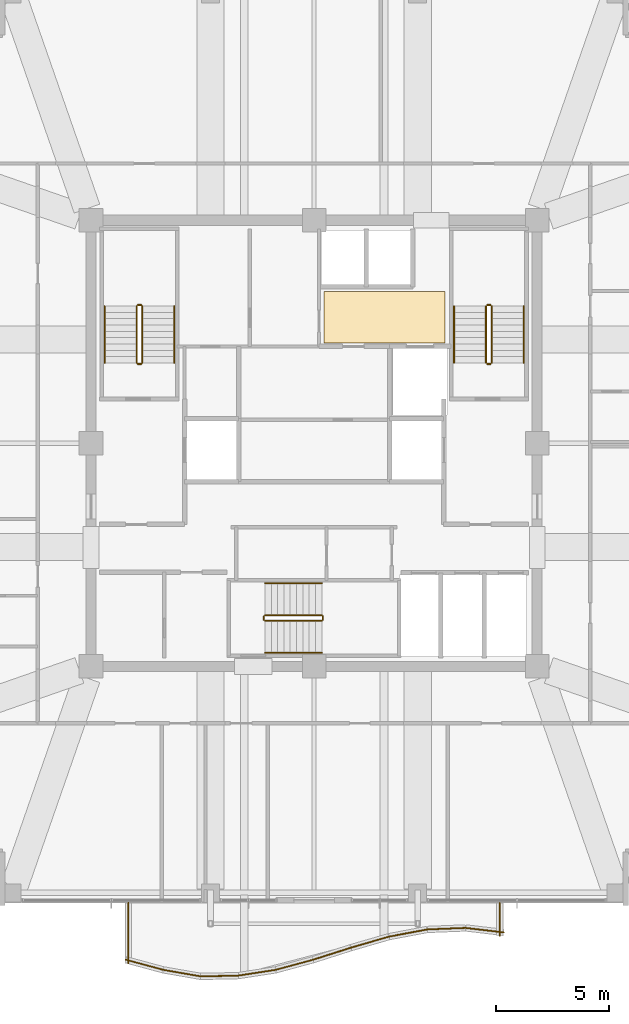
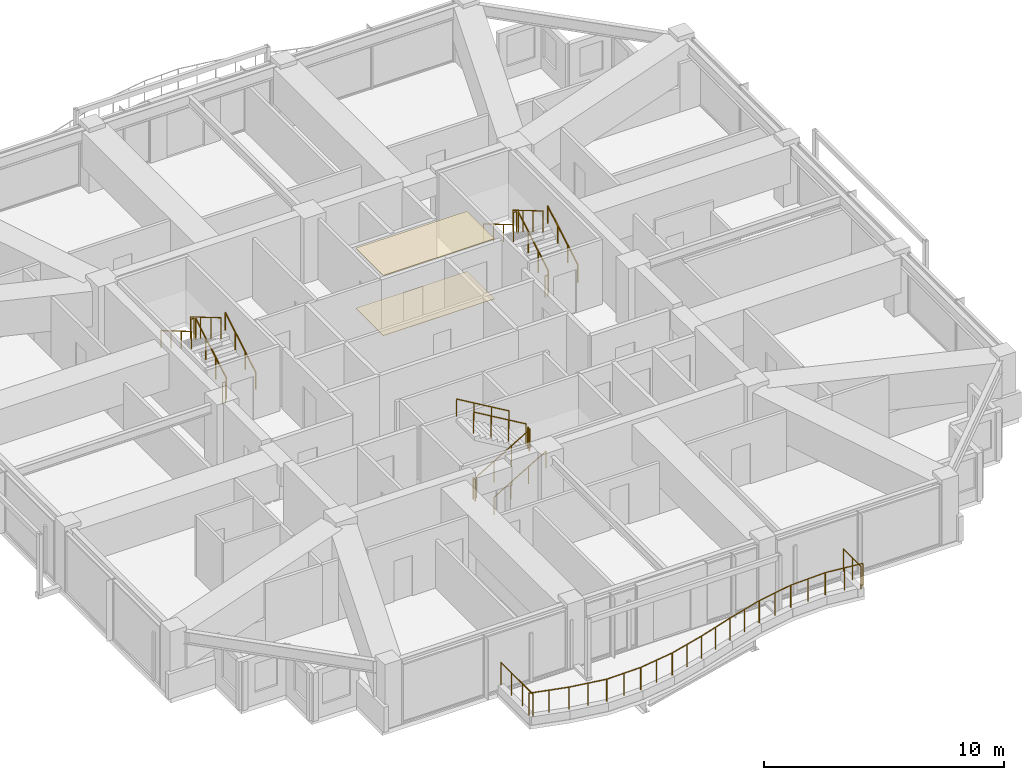
# One storey, part 36 of 37: 30 railings, 2 coverings.
"""IFC4 building model written with IfcOpenShell, lengths in metres."""

from ifc_helpers import new_model, si_unit, direction, frame, origin, origin_2d, place, context, subcontext, project, spatial, polyline, circle, outline, extrude, material, layer, layer_set, type_object, element, save


model = new_model("IFC4")

# Units and contexts
model_context = context("Model", 3, precision=1e-05, world=origin(), true_north=direction((0.0, 1.0)))
body_context = subcontext(model_context, "Body", "Model", "MODEL_VIEW")
ifc_project = project(units=[si_unit("LENGTHUNIT", "METRE"), si_unit("AREAUNIT", "SQUARE_METRE"), si_unit("VOLUMEUNIT", "CUBIC_METRE"), si_unit("PLANEANGLEUNIT", "RADIAN"), si_unit("MASSUNIT", "GRAM", prefix="KILO")], contexts=[model_context])

# Site, building, storey
site_placement = place(None, origin())
site = spatial("IfcSite", under=ifc_project, at=site_placement, CompositionType="ELEMENT")
building_placement = place(site_placement, origin())
building = spatial("IfcBuilding", under=site, at=building_placement, Name="Kolvaren Belvedere", CompositionType="ELEMENT")
storey_placement = place(building_placement, frame((0.0, 0.0, 219.60009765625)))
storey = spatial("IfcBuildingStorey", under=building, at=storey_placement, Name="L64", CompositionType="ELEMENT", Elevation=219.60009765625)

# Coverings
ifc_material_1 = material(Name="Acoustic perforated gypsum board", Category="gypsum")
ifc_layer_1 = layer(ifc_material_1, 0.02490234375)
ifc_layer_set_1 = layer_set([ifc_layer_1], Name="Acoustic perforated gypsum board")
covering_type_1 = type_object("IfcCoveringType", Name="COV-CEIL-GYP", PredefinedType="CEILING", material=ifc_layer_set_1)
covering_1_placement = place(storey_placement, frame((0.0, 0.0, 3.054931640625)))
element("IfcCovering", 1, at=covering_1_placement, inside=storey, type_object=covering_type_1, Name="L64 Lift Lobby Acoustic Baffle Ceiling", PredefinedType="CEILING", context=body_context, shape_type="SweptSolid", body=[
    extrude(outline(polyline([(0.449951171875, 4.449951171875), (5.800048828125, 4.449951171875), (5.800048828125, 6.75), (0.449951171875, 6.75), (0.449951171875, 4.449951171875)])), origin(), (0.0, 0.0, 1.0), 0.02490234375),
])
ifc_material_2 = material(Name="Engineered Pacific white oak", Category="timber")
ifc_layer_2 = layer(ifc_material_2, 0.02001953125)
ifc_layer_set_2 = layer_set([ifc_layer_2], Name="Engineered Pacific white oak")
covering_type_2 = type_object("IfcCoveringType", Name="COV-FLR-OAK", PredefinedType="FLOORING", material=ifc_layer_set_2)
covering_2_placement = place(storey_placement, origin())
element("IfcCovering", 2, at=covering_2_placement, inside=storey, type_object=covering_type_2, Name="L64 Lift Lobby Finish Flooring", PredefinedType="FLOORING", context=body_context, shape_type="SweptSolid", body=[
    extrude(outline(polyline([(0.449951171875, 4.449951171875), (5.800048828125, 4.449951171875), (5.800048828125, 6.75), (0.449951171875, 6.75), (0.449951171875, 4.449951171875)])), origin(), (0.0, 0.0, 1.0), 0.02001953125),
])

# Railings
ifc_material_3 = material(Name="Anodised pale-metal aluminium & laminated glass guard", Category="aluminium")
railing_type_1 = type_object("IfcRailingType", Name="RL-GUARD-1150", PredefinedType="GUARDRAIL", material=ifc_material_3)
railing_1_placement = place(storey_placement, frame((-8.3583984375, -22.919189453125, 0.3798828125)))
element("IfcRailing", 3, at=railing_1_placement, inside=storey, type_object=railing_type_1, Name="L64 Exterior Deck Safety Guard BAL-S-1", PredefinedType="GUARDRAIL", context=body_context, shape_type="SweptSolid", body=[
    extrude(circle(Radius=0.02392578125, at=origin_2d()), frame((0.0, 0.0, 1.1259765625), z_axis=(0.965434024814, -0.260647546949, 0.0), x_axis=(0.260647546949, 0.965434024814, 0.0)), (0.0, 0.0, 1.0), 1.740234375),
    extrude(circle(Radius=0.02099609375, at=origin_2d()), origin(), (0.0, 0.0, 1.0), 1.101806640625),
    extrude(circle(Radius=0.02099609375, at=origin_2d()), frame((0.840087890625, -0.226806640625, 0.0)), (0.0, 0.0, 1.0), 1.101806640625),
    extrude(circle(Radius=0.02099609375, at=origin_2d()), frame((1.68017578125, -0.45361328125, 0.0)), (0.0, 0.0, 1.0), 1.101806640625),
])
railing_2_placement = place(storey_placement, frame((-6.6923828125, -23.36962890625, 0.3798828125)))
element("IfcRailing", 4, at=railing_2_placement, inside=storey, type_object=railing_type_1, Name="L64 Exterior Deck Safety Guard BAL-S-2", PredefinedType="GUARDRAIL", context=body_context, shape_type="SweptSolid", body=[
    extrude(circle(Radius=0.02392578125, at=origin_2d()), frame((0.0, 0.0, 1.1259765625), z_axis=(0.985156010777, -0.171661394699, 0.0), x_axis=(0.171661394699, 0.985156010777, 0.0)), (0.0, 0.0, 1.0), 1.705322265625),
    extrude(circle(Radius=0.02099609375, at=origin_2d()), origin(), (0.0, 0.0, 1.0), 1.101806640625),
    extrude(circle(Radius=0.02099609375, at=origin_2d()), frame((0.83984375, -0.146484375, 0.0)), (0.0, 0.0, 1.0), 1.101806640625),
    extrude(circle(Radius=0.02099609375, at=origin_2d()), frame((1.679931640625, -0.292724609375, 0.0)), (0.0, 0.0, 1.0), 1.101806640625),
])
railing_3_placement = place(storey_placement, frame((-5.043212890625, -23.659912109375, 0.3798828125)))
element("IfcRailing", 5, at=railing_3_placement, inside=storey, type_object=railing_type_1, Name="L64 Exterior Deck Safety Guard BAL-S-3", PredefinedType="GUARDRAIL", context=body_context, shape_type="SweptSolid", body=[
    extrude(circle(Radius=0.02392578125, at=origin_2d()), frame((0.0, 0.0, 1.1259765625), z_axis=(0.99979895463, 0.020051192521, 0.0), x_axis=(-0.020051192521, 0.99979895463, 0.0)), (0.0, 0.0, 1.0), 1.68017578125),
    extrude(circle(Radius=0.02099609375, at=origin_2d()), origin(), (0.0, 0.0, 1.0), 1.101806640625),
    extrude(circle(Radius=0.02099609375, at=origin_2d()), frame((0.83984375, 0.016845703125, 0.0)), (0.0, 0.0, 1.0), 1.101806640625),
    extrude(circle(Radius=0.02099609375, at=origin_2d()), frame((1.679931640625, 0.03369140625, 0.0)), (0.0, 0.0, 1.0), 1.101806640625),
])
railing_4_placement = place(storey_placement, frame((-3.384521484375, -23.6279296875, 0.3798828125)))
element("IfcRailing", 6, at=railing_4_placement, inside=storey, type_object=railing_type_1, Name="L64 Exterior Deck Safety Guard BAL-S-4", PredefinedType="GUARDRAIL", context=body_context, shape_type="SweptSolid", body=[
    extrude(circle(Radius=0.02392578125, at=origin_2d()), frame((0.0, 0.0, 1.1259765625), z_axis=(0.988345118302, 0.152229849666, 0.0), x_axis=(-0.152229849666, 0.988345118302, 0.0)), (0.0, 0.0, 1.0), 1.699951171875),
    extrude(circle(Radius=0.02099609375, at=origin_2d()), origin(), (0.0, 0.0, 1.0), 1.101806640625),
    extrude(circle(Radius=0.02099609375, at=origin_2d()), frame((0.840087890625, 0.12939453125, 0.0)), (0.0, 0.0, 1.0), 1.101806640625),
    extrude(circle(Radius=0.02099609375, at=origin_2d()), frame((1.68017578125, 0.2587890625, 0.0)), (0.0, 0.0, 1.0), 1.101806640625),
])
railing_5_placement = place(storey_placement, frame((-1.7216796875, -23.372802734375, 0.3798828125)))
element("IfcRailing", 7, at=railing_5_placement, inside=storey, type_object=railing_type_1, Name="L64 Exterior Deck Safety Guard BAL-S-5", PredefinedType="GUARDRAIL", context=body_context, shape_type="SweptSolid", body=[
    extrude(circle(Radius=0.02392578125, at=origin_2d()), frame((0.0, 0.0, 1.1259765625), z_axis=(0.965424492388, 0.260682852326, 0.0), x_axis=(-0.260682852326, 0.965424492388, 0.0)), (0.0, 0.0, 1.0), 1.739990234375),
    extrude(circle(Radius=0.02099609375, at=origin_2d()), origin(), (0.0, 0.0, 1.0), 1.101806640625),
    extrude(circle(Radius=0.02099609375, at=origin_2d()), frame((0.83984375, 0.226806640625, 0.0)), (0.0, 0.0, 1.0), 1.101806640625),
    extrude(circle(Radius=0.02099609375, at=origin_2d()), frame((1.679931640625, 0.45361328125, 0.0)), (0.0, 0.0, 1.0), 1.101806640625),
])
railing_6_placement = place(storey_placement, frame((-0.048583984375, -22.92138671875, 0.3798828125)))
element("IfcRailing", 8, at=railing_6_placement, inside=storey, type_object=railing_type_1, Name="L64 Exterior Deck Safety Guard BAL-S-6", PredefinedType="GUARDRAIL", context=body_context, shape_type="SweptSolid", body=[
    extrude(circle(Radius=0.02392578125, at=origin_2d()), frame((0.0, 0.0, 1.1259765625), z_axis=(0.952661770826, 0.304032153573, 0.0), x_axis=(-0.304032153573, 0.952661770826, 0.0)), (0.0, 0.0, 1.0), 1.763427734375),
    extrude(circle(Radius=0.02099609375, at=origin_2d()), origin(), (0.0, 0.0, 1.0), 1.101806640625),
    extrude(circle(Radius=0.02099609375, at=origin_2d()), frame((0.83984375, 0.26806640625, 0.0)), (0.0, 0.0, 1.0), 1.101806640625),
    extrude(circle(Radius=0.02099609375, at=origin_2d()), frame((1.679931640625, 0.5361328125, 0.0)), (0.0, 0.0, 1.0), 1.101806640625),
])
railing_7_placement = place(storey_placement, frame((1.635498046875, -22.3837890625, 0.3798828125)))
element("IfcRailing", 9, at=railing_7_placement, inside=storey, type_object=railing_type_1, Name="L64 Exterior Deck Safety Guard BAL-S-7", PredefinedType="GUARDRAIL", context=body_context, shape_type="SweptSolid", body=[
    extrude(circle(Radius=0.02392578125, at=origin_2d()), frame((0.0, 0.0, 1.1259765625), z_axis=(0.960633903819, 0.277817391164, 0.0), x_axis=(-0.277817391164, 0.960633903819, 0.0)), (0.0, 0.0, 1.0), 1.748779296875),
    extrude(circle(Radius=0.02099609375, at=origin_2d()), origin(), (0.0, 0.0, 1.0), 1.101806640625),
    extrude(circle(Radius=0.02099609375, at=origin_2d()), frame((0.83984375, 0.242919921875, 0.0)), (0.0, 0.0, 1.0), 1.101806640625),
    extrude(circle(Radius=0.02099609375, at=origin_2d()), frame((1.679931640625, 0.48583984375, 0.0)), (0.0, 0.0, 1.0), 1.101806640625),
])
railing_8_placement = place(storey_placement, frame((3.330322265625, -21.894287109375, 0.3798828125)))
element("IfcRailing", 10, at=railing_8_placement, inside=storey, type_object=railing_type_1, Name="L64 Exterior Deck Safety Guard BAL-S-8", PredefinedType="GUARDRAIL", context=body_context, shape_type="SweptSolid", body=[
    extrude(circle(Radius=0.02392578125, at=origin_2d()), frame((0.0, 0.0, 1.1259765625), z_axis=(0.982804219087, 0.184650661912, 0.0), x_axis=(-0.184650661912, 0.982804219087, 0.0)), (0.0, 0.0, 1.0), 1.70947265625),
    extrude(circle(Radius=0.02099609375, at=origin_2d()), origin(), (0.0, 0.0, 1.0), 1.101806640625),
    extrude(circle(Radius=0.02099609375, at=origin_2d()), frame((0.840087890625, 0.15771484375, 0.0)), (0.0, 0.0, 1.0), 1.101806640625),
    extrude(circle(Radius=0.02099609375, at=origin_2d()), frame((1.68017578125, 0.315673828125, 0.0)), (0.0, 0.0, 1.0), 1.101806640625),
])
railing_9_placement = place(storey_placement, frame((5.03369140625, -21.575927734375, 0.3798828125)))
element("IfcRailing", 11, at=railing_9_placement, inside=storey, type_object=railing_type_1, Name="L64 Exterior Deck Safety Guard BAL-S-9", PredefinedType="GUARDRAIL", context=body_context, shape_type="SweptSolid", body=[
    extrude(circle(Radius=0.02392578125, at=origin_2d()), frame((0.0, 0.0, 1.1259765625), z_axis=(0.999196545286, 0.040078222133, 0.0), x_axis=(-0.040078222133, 0.999196545286, 0.0)), (0.0, 0.0, 1.0), 1.681396484375),
    extrude(circle(Radius=0.02099609375, at=origin_2d()), origin(), (0.0, 0.0, 1.0), 1.101806640625),
    extrude(circle(Radius=0.02099609375, at=origin_2d()), frame((0.83984375, 0.03369140625, 0.0)), (0.0, 0.0, 1.0), 1.101806640625),
    extrude(circle(Radius=0.02099609375, at=origin_2d()), frame((1.679931640625, 0.0673828125, 0.0)), (0.0, 0.0, 1.0), 1.101806640625),
])
railing_10_placement = place(storey_placement, frame((6.73876953125, -21.509521484375, 0.3798828125)))
element("IfcRailing", 12, at=railing_10_placement, inside=storey, type_object=railing_type_1, Name="L64 Exterior Deck Safety Guard BAL-S-10", PredefinedType="GUARDRAIL", context=body_context, shape_type="SweptSolid", body=[
    extrude(circle(Radius=0.02392578125, at=origin_2d()), frame((0.0, 0.0, 1.1259765625), z_axis=(0.993125952783, -0.11705059551, 0.0), x_axis=(0.11705059551, 0.993125952783, 0.0)), (0.0, 0.0, 1.0), 1.691650390625),
    extrude(circle(Radius=0.02099609375, at=origin_2d()), origin(), (0.0, 0.0, 1.0), 1.101806640625),
    extrude(circle(Radius=0.02099609375, at=origin_2d()), frame((0.83984375, -0.09912109375, 0.0)), (0.0, 0.0, 1.0), 1.101806640625),
    extrude(circle(Radius=0.02099609375, at=origin_2d()), frame((1.679931640625, -0.197998046875, 0.0)), (0.0, 0.0, 1.0), 1.101806640625),
])
railing_11_placement = place(storey_placement, frame((8.239990234375, -21.8662109375, 0.3798828125)))
element("IfcRailing", 13, at=railing_11_placement, inside=storey, type_object=railing_type_1, Name="L64 Exterior Deck Safety Guard BAL-S-11", PredefinedType="GUARDRAIL", context=body_context, shape_type="SweptSolid", body=[
    extrude(circle(Radius=0.02392578125, at=origin_2d()), frame((0.0, 0.0, 1.1259765625), z_axis=(0.0, 1.0, 0.0), x_axis=(-1.0, 0.0, 0.0)), (0.0, 0.0, 1.0), 1.46630859375),
    extrude(circle(Radius=0.02099609375, at=origin_2d()), origin(), (0.0, 0.0, 1.0), 1.101806640625),
    extrude(circle(Radius=0.02099609375, at=origin_2d()), frame((0.0, 0.733154296875, 0.0)), (0.0, 0.0, 1.0), 1.101806640625),
    extrude(circle(Radius=0.02099609375, at=origin_2d()), frame((0.0, 1.46630859375, 0.0)), (0.0, 0.0, 1.0), 1.101806640625),
])
railing_12_placement = place(storey_placement, frame((-8.239990234375, -20.39990234375, 0.3798828125)))
element("IfcRailing", 14, at=railing_12_placement, inside=storey, type_object=railing_type_1, Name="L64 Exterior Deck Safety Guard BAL-S-22", PredefinedType="GUARDRAIL", context=body_context, shape_type="SweptSolid", body=[
    extrude(circle(Radius=0.02392578125, at=origin_2d()), frame((0.0, 0.0, 1.1259765625), z_axis=(0.0, -1.0, 0.0), x_axis=(1.0, 0.0, 0.0)), (0.0, 0.0, 1.0), 2.673828125),
    extrude(circle(Radius=0.02099609375, at=origin_2d()), origin(), (0.0, 0.0, 1.0), 1.101806640625),
    extrude(circle(Radius=0.02099609375, at=origin_2d()), frame((0.0, -0.891357421875, 0.0)), (0.0, 0.0, 1.0), 1.101806640625),
    extrude(circle(Radius=0.02099609375, at=origin_2d()), frame((0.0, -1.782470703125, 0.0)), (0.0, 0.0, 1.0), 1.101806640625),
    extrude(circle(Radius=0.02099609375, at=origin_2d()), frame((0.0, -2.673828125, 0.0)), (0.0, 0.0, 1.0), 1.101806640625),
])
ifc_material_4 = material(Name="Brushed stainless-steel handrail", Category="steel")
railing_type_2 = type_object("IfcRailingType", Name="RL-HANDRAIL-920", PredefinedType="HANDRAIL", material=ifc_material_4)
railing_13_placement = place(storey_placement, frame((-6.2099609375, 3.570068359375, 0.164794921875)))
element("IfcRailing", 15, at=railing_13_placement, inside=storey, type_object=railing_type_2, Name="L64 ST-1 stair handrail 1", PredefinedType="HANDRAIL", context=body_context, shape_type="SweptSolid", body=[
    extrude(circle(Radius=0.02392578125, at=origin_2d()), frame((0.0, 0.0, 0.8759765625), z_axis=(0.0, 0.86152411907, 0.507716645641), x_axis=(-1.0, 0.0, 0.0)), (0.0, 0.0, 1.0), 2.925048828125),
    extrude(circle(Radius=0.02099609375, at=origin_2d()), origin(), (0.0, 0.0, 1.0), 0.851806640625),
    extrude(circle(Radius=0.02099609375, at=origin_2d()), frame((0.0, 0.840087890625, 0.4951171875)), (0.0, 0.0, 1.0), 0.851806640625),
    extrude(circle(Radius=0.02099609375, at=origin_2d()), frame((0.0, 1.679931640625, 0.989990234375)), (0.0, 0.0, 1.0), 0.851806640625),
    extrude(circle(Radius=0.02099609375, at=origin_2d()), frame((0.0, 2.52001953125, 1.485107421875)), (0.0, 0.0, 1.0), 0.851806640625),
])
railing_14_placement = place(storey_placement, frame((-9.300048828125, 6.090087890625, 1.81494140625)))
element("IfcRailing", 16, at=railing_14_placement, inside=storey, type_object=railing_type_2, Name="L64 ST-1 stair handrail 2", PredefinedType="HANDRAIL", context=body_context, shape_type="SweptSolid", body=[
    extrude(circle(Radius=0.02392578125, at=origin_2d()), frame((0.0, 0.0, 0.8759765625), z_axis=(0.0, -0.861560626758, 0.507654692109), x_axis=(1.0, 0.0, 0.0)), (0.0, 0.0, 1.0), 2.925048828125),
    extrude(circle(Radius=0.02099609375, at=origin_2d()), origin(), (0.0, 0.0, 1.0), 0.851806640625),
    extrude(circle(Radius=0.02099609375, at=origin_2d()), frame((0.0, -0.840087890625, 0.494873046875)), (0.0, 0.0, 1.0), 0.851806640625),
    extrude(circle(Radius=0.02099609375, at=origin_2d()), frame((0.0, -1.679931640625, 0.989990234375)), (0.0, 0.0, 1.0), 0.851806640625),
    extrude(circle(Radius=0.02099609375, at=origin_2d()), frame((0.0, -2.52001953125, 1.48486328125)), (0.0, 0.0, 1.0), 0.851806640625),
])
railing_15_placement = place(storey_placement, frame((9.300048828125, 3.570068359375, 0.164794921875)))
element("IfcRailing", 17, at=railing_15_placement, inside=storey, type_object=railing_type_2, Name="L64 ST-2 stair handrail 1", PredefinedType="HANDRAIL", context=body_context, shape_type="SweptSolid", body=[
    extrude(circle(Radius=0.02392578125, at=origin_2d()), frame((0.0, 0.0, 0.8759765625), z_axis=(0.0, 0.86152411907, 0.507716645641), x_axis=(-1.0, 0.0, 0.0)), (0.0, 0.0, 1.0), 2.925048828125),
    extrude(circle(Radius=0.02099609375, at=origin_2d()), origin(), (0.0, 0.0, 1.0), 0.851806640625),
    extrude(circle(Radius=0.02099609375, at=origin_2d()), frame((0.0, 0.840087890625, 0.4951171875)), (0.0, 0.0, 1.0), 0.851806640625),
    extrude(circle(Radius=0.02099609375, at=origin_2d()), frame((0.0, 1.679931640625, 0.989990234375)), (0.0, 0.0, 1.0), 0.851806640625),
    extrude(circle(Radius=0.02099609375, at=origin_2d()), frame((0.0, 2.52001953125, 1.485107421875)), (0.0, 0.0, 1.0), 0.851806640625),
])
railing_16_placement = place(storey_placement, frame((6.2099609375, 6.090087890625, 1.81494140625)))
element("IfcRailing", 18, at=railing_16_placement, inside=storey, type_object=railing_type_2, Name="L64 ST-2 stair handrail 2", PredefinedType="HANDRAIL", context=body_context, shape_type="SweptSolid", body=[
    extrude(circle(Radius=0.02392578125, at=origin_2d()), frame((0.0, 0.0, 0.8759765625), z_axis=(0.0, -0.861560626758, 0.507654692109), x_axis=(1.0, 0.0, 0.0)), (0.0, 0.0, 1.0), 2.925048828125),
    extrude(circle(Radius=0.02099609375, at=origin_2d()), origin(), (0.0, 0.0, 1.0), 0.851806640625),
    extrude(circle(Radius=0.02099609375, at=origin_2d()), frame((0.0, -0.840087890625, 0.494873046875)), (0.0, 0.0, 1.0), 0.851806640625),
    extrude(circle(Radius=0.02099609375, at=origin_2d()), frame((0.0, -1.679931640625, 0.989990234375)), (0.0, 0.0, 1.0), 0.851806640625),
    extrude(circle(Radius=0.02099609375, at=origin_2d()), frame((0.0, -2.52001953125, 1.48486328125)), (0.0, 0.0, 1.0), 0.851806640625),
])
railing_17_placement = place(storey_placement, frame((-2.179931640625, -9.300048828125, 0.164794921875)))
element("IfcRailing", 19, at=railing_17_placement, inside=storey, type_object=railing_type_2, Name="L64 ST-3 stair handrail 1", PredefinedType="HANDRAIL", context=body_context, shape_type="SweptSolid", body=[
    extrude(circle(Radius=0.02392578125, at=origin_2d()), frame((0.0, 0.0, 0.8759765625), z_axis=(0.86152411907, 0.0, 0.507716645641), x_axis=(0.0, 1.0, 0.0)), (0.0, 0.0, 1.0), 2.925048828125),
    extrude(circle(Radius=0.02099609375, at=origin_2d()), origin(), (0.0, 0.0, 1.0), 0.851806640625),
    extrude(circle(Radius=0.02099609375, at=origin_2d()), frame((0.840087890625, 0.0, 0.4951171875)), (0.0, 0.0, 1.0), 0.851806640625),
    extrude(circle(Radius=0.02099609375, at=origin_2d()), frame((1.679931640625, 0.0, 0.989990234375)), (0.0, 0.0, 1.0), 0.851806640625),
    extrude(circle(Radius=0.02099609375, at=origin_2d()), frame((2.52001953125, 0.0, 1.485107421875)), (0.0, 0.0, 1.0), 0.851806640625),
])
railing_18_placement = place(storey_placement, frame((0.340087890625, -6.2099609375, 1.81494140625)))
element("IfcRailing", 20, at=railing_18_placement, inside=storey, type_object=railing_type_2, Name="L64 ST-3 stair handrail 2", PredefinedType="HANDRAIL", context=body_context, shape_type="SweptSolid", body=[
    extrude(circle(Radius=0.02392578125, at=origin_2d()), frame((0.0, 0.0, 0.8759765625), z_axis=(-0.861560626758, 0.0, 0.507654692109), x_axis=(0.0, -1.0, 0.0)), (0.0, 0.0, 1.0), 2.925048828125),
    extrude(circle(Radius=0.02099609375, at=origin_2d()), origin(), (0.0, 0.0, 1.0), 0.851806640625),
    extrude(circle(Radius=0.02099609375, at=origin_2d()), frame((-0.840087890625, 0.0, 0.494873046875)), (0.0, 0.0, 1.0), 0.851806640625),
    extrude(circle(Radius=0.02099609375, at=origin_2d()), frame((-1.679931640625, 0.0, 0.989990234375)), (0.0, 0.0, 1.0), 0.851806640625),
    extrude(circle(Radius=0.02099609375, at=origin_2d()), frame((-2.52001953125, 0.0, 1.48486328125)), (0.0, 0.0, 1.0), 0.851806640625),
])
ifc_material_5 = material(Name="Painted tubular steel stair guard", Category="steel")
railing_type_3 = type_object("IfcRailingType", Name="RL-STGUARD-1100", PredefinedType="GUARDRAIL", material=ifc_material_5)
railing_19_placement = place(storey_placement, frame((-7.6298828125, 3.570068359375, 0.164794921875)))
element("IfcRailing", 21, at=railing_19_placement, inside=storey, type_object=railing_type_3, Name="L64 ST-1 stair guard 1", PredefinedType="GUARDRAIL", context=body_context, shape_type="SweptSolid", body=[
    extrude(circle(Radius=0.02392578125, at=origin_2d()), frame((0.0, 0.0, 1.076171875), z_axis=(0.0, 0.86152411907, 0.507716645641), x_axis=(-1.0, 0.0, 0.0)), (0.0, 0.0, 1.0), 2.925048828125),
    extrude(circle(Radius=0.02099609375, at=origin_2d()), origin(), (0.0, 0.0, 1.0), 1.052001953125),
    extrude(circle(Radius=0.02099609375, at=origin_2d()), frame((0.0, 0.840087890625, 0.4951171875)), (0.0, 0.0, 1.0), 1.052001953125),
    extrude(circle(Radius=0.02099609375, at=origin_2d()), frame((0.0, 1.679931640625, 0.989990234375)), (0.0, 0.0, 1.0), 1.052001953125),
    extrude(circle(Radius=0.02099609375, at=origin_2d()), frame((0.0, 2.52001953125, 1.485107421875)), (0.0, 0.0, 1.0), 1.052001953125),
])
railing_20_placement = place(storey_placement, frame((-7.679931640625, 6.139892578125, 1.64990234375)))
element("IfcRailing", 22, at=railing_20_placement, inside=storey, type_object=railing_type_3, Name="L64 ST-1 stair guard 2", PredefinedType="GUARDRAIL", context=body_context, shape_type="SweptSolid", body=[
    extrude(circle(Radius=0.02392578125, at=origin_2d()), frame((0.0, 0.0, 1.076171875), z_axis=(-1.0, 0.0, 0.0), x_axis=(0.0, -1.0, 0.0)), (0.0, 0.0, 1.0), 0.150146484375),
    extrude(circle(Radius=0.02099609375, at=origin_2d()), origin(), (0.0, 0.0, 1.0), 1.052001953125),
    extrude(circle(Radius=0.02099609375, at=origin_2d()), frame((-0.150146484375, 0.0, 0.0)), (0.0, 0.0, 1.0), 1.052001953125),
])
railing_21_placement = place(storey_placement, frame((-7.8798828125, 6.090087890625, 1.81494140625)))
element("IfcRailing", 23, at=railing_21_placement, inside=storey, type_object=railing_type_3, Name="L64 ST-1 stair guard 3", PredefinedType="GUARDRAIL", context=body_context, shape_type="SweptSolid", body=[
    extrude(circle(Radius=0.02392578125, at=origin_2d()), frame((0.0, 0.0, 1.076171875), z_axis=(0.0, -0.861560626758, 0.507654692109), x_axis=(1.0, 0.0, 0.0)), (0.0, 0.0, 1.0), 2.925048828125),
    extrude(circle(Radius=0.02099609375, at=origin_2d()), origin(), (0.0, 0.0, 1.0), 1.052001953125),
    extrude(circle(Radius=0.02099609375, at=origin_2d()), frame((0.0, -0.840087890625, 0.494873046875)), (0.0, 0.0, 1.0), 1.052001953125),
    extrude(circle(Radius=0.02099609375, at=origin_2d()), frame((0.0, -1.679931640625, 0.989990234375)), (0.0, 0.0, 1.0), 1.052001953125),
    extrude(circle(Radius=0.02099609375, at=origin_2d()), frame((0.0, -2.52001953125, 1.48486328125)), (0.0, 0.0, 1.0), 1.052001953125),
])
railing_22_placement = place(storey_placement, frame((-7.679931640625, 3.52001953125, 0.0)))
element("IfcRailing", 24, at=railing_22_placement, inside=storey, type_object=railing_type_3, Name="L64 ST-1 stair guard 4", PredefinedType="GUARDRAIL", context=body_context, shape_type="SweptSolid", body=[
    extrude(circle(Radius=0.02392578125, at=origin_2d()), frame((0.0, 0.0, 1.076171875), z_axis=(-1.0, 0.0, 0.0), x_axis=(0.0, -1.0, 0.0)), (0.0, 0.0, 1.0), 0.150146484375),
    extrude(circle(Radius=0.02099609375, at=origin_2d()), origin(), (0.0, 0.0, 1.0), 1.052001953125),
    extrude(circle(Radius=0.02099609375, at=origin_2d()), frame((-0.150146484375, 0.0, 0.0)), (0.0, 0.0, 1.0), 1.052001953125),
])
railing_23_placement = place(storey_placement, frame((7.8798828125, 3.570068359375, 0.164794921875)))
element("IfcRailing", 25, at=railing_23_placement, inside=storey, type_object=railing_type_3, Name="L64 ST-2 stair guard 1", PredefinedType="GUARDRAIL", context=body_context, shape_type="SweptSolid", body=[
    extrude(circle(Radius=0.02392578125, at=origin_2d()), frame((0.0, 0.0, 1.076171875), z_axis=(0.0, 0.86152411907, 0.507716645641), x_axis=(-1.0, 0.0, 0.0)), (0.0, 0.0, 1.0), 2.925048828125),
    extrude(circle(Radius=0.02099609375, at=origin_2d()), origin(), (0.0, 0.0, 1.0), 1.052001953125),
    extrude(circle(Radius=0.02099609375, at=origin_2d()), frame((0.0, 0.840087890625, 0.4951171875)), (0.0, 0.0, 1.0), 1.052001953125),
    extrude(circle(Radius=0.02099609375, at=origin_2d()), frame((0.0, 1.679931640625, 0.989990234375)), (0.0, 0.0, 1.0), 1.052001953125),
    extrude(circle(Radius=0.02099609375, at=origin_2d()), frame((0.0, 2.52001953125, 1.485107421875)), (0.0, 0.0, 1.0), 1.052001953125),
])
railing_24_placement = place(storey_placement, frame((7.830078125, 6.139892578125, 1.64990234375)))
element("IfcRailing", 26, at=railing_24_placement, inside=storey, type_object=railing_type_3, Name="L64 ST-2 stair guard 2", PredefinedType="GUARDRAIL", context=body_context, shape_type="SweptSolid", body=[
    extrude(circle(Radius=0.02392578125, at=origin_2d()), frame((0.0, 0.0, 1.076171875), z_axis=(-1.0, 0.0, 0.0), x_axis=(0.0, -1.0, 0.0)), (0.0, 0.0, 1.0), 0.150146484375),
    extrude(circle(Radius=0.02099609375, at=origin_2d()), origin(), (0.0, 0.0, 1.0), 1.052001953125),
    extrude(circle(Radius=0.02099609375, at=origin_2d()), frame((-0.150146484375, 0.0, 0.0)), (0.0, 0.0, 1.0), 1.052001953125),
])
railing_25_placement = place(storey_placement, frame((7.6298828125, 6.090087890625, 1.81494140625)))
element("IfcRailing", 27, at=railing_25_placement, inside=storey, type_object=railing_type_3, Name="L64 ST-2 stair guard 3", PredefinedType="GUARDRAIL", context=body_context, shape_type="SweptSolid", body=[
    extrude(circle(Radius=0.02392578125, at=origin_2d()), frame((0.0, 0.0, 1.076171875), z_axis=(0.0, -0.861560626758, 0.507654692109), x_axis=(1.0, 0.0, 0.0)), (0.0, 0.0, 1.0), 2.925048828125),
    extrude(circle(Radius=0.02099609375, at=origin_2d()), origin(), (0.0, 0.0, 1.0), 1.052001953125),
    extrude(circle(Radius=0.02099609375, at=origin_2d()), frame((0.0, -0.840087890625, 0.494873046875)), (0.0, 0.0, 1.0), 1.052001953125),
    extrude(circle(Radius=0.02099609375, at=origin_2d()), frame((0.0, -1.679931640625, 0.989990234375)), (0.0, 0.0, 1.0), 1.052001953125),
    extrude(circle(Radius=0.02099609375, at=origin_2d()), frame((0.0, -2.52001953125, 1.48486328125)), (0.0, 0.0, 1.0), 1.052001953125),
])
railing_26_placement = place(storey_placement, frame((7.830078125, 3.52001953125, 0.0)))
element("IfcRailing", 28, at=railing_26_placement, inside=storey, type_object=railing_type_3, Name="L64 ST-2 stair guard 4", PredefinedType="GUARDRAIL", context=body_context, shape_type="SweptSolid", body=[
    extrude(circle(Radius=0.02392578125, at=origin_2d()), frame((0.0, 0.0, 1.076171875), z_axis=(-1.0, 0.0, 0.0), x_axis=(0.0, -1.0, 0.0)), (0.0, 0.0, 1.0), 0.150146484375),
    extrude(circle(Radius=0.02099609375, at=origin_2d()), origin(), (0.0, 0.0, 1.0), 1.052001953125),
    extrude(circle(Radius=0.02099609375, at=origin_2d()), frame((-0.150146484375, 0.0, 0.0)), (0.0, 0.0, 1.0), 1.052001953125),
])
railing_27_placement = place(storey_placement, frame((-2.179931640625, -7.8798828125, 0.164794921875)))
element("IfcRailing", 29, at=railing_27_placement, inside=storey, type_object=railing_type_3, Name="L64 ST-3 stair guard 1", PredefinedType="GUARDRAIL", context=body_context, shape_type="SweptSolid", body=[
    extrude(circle(Radius=0.02392578125, at=origin_2d()), frame((0.0, 0.0, 1.076171875), z_axis=(0.86152411907, 0.0, 0.507716645641), x_axis=(0.0, 1.0, 0.0)), (0.0, 0.0, 1.0), 2.925048828125),
    extrude(circle(Radius=0.02099609375, at=origin_2d()), origin(), (0.0, 0.0, 1.0), 1.052001953125),
    extrude(circle(Radius=0.02099609375, at=origin_2d()), frame((0.840087890625, 0.0, 0.4951171875)), (0.0, 0.0, 1.0), 1.052001953125),
    extrude(circle(Radius=0.02099609375, at=origin_2d()), frame((1.679931640625, 0.0, 0.989990234375)), (0.0, 0.0, 1.0), 1.052001953125),
    extrude(circle(Radius=0.02099609375, at=origin_2d()), frame((2.52001953125, 0.0, 1.485107421875)), (0.0, 0.0, 1.0), 1.052001953125),
])
railing_28_placement = place(storey_placement, frame((0.389892578125, -7.830078125, 1.64990234375)))
element("IfcRailing", 30, at=railing_28_placement, inside=storey, type_object=railing_type_3, Name="L64 ST-3 stair guard 2", PredefinedType="GUARDRAIL", context=body_context, shape_type="SweptSolid", body=[
    extrude(circle(Radius=0.02392578125, at=origin_2d()), frame((0.0, 0.0, 1.076171875), z_axis=(0.0, 1.0, 0.0), x_axis=(-1.0, 0.0, 0.0)), (0.0, 0.0, 1.0), 0.150146484375),
    extrude(circle(Radius=0.02099609375, at=origin_2d()), origin(), (0.0, 0.0, 1.0), 1.052001953125),
    extrude(circle(Radius=0.02099609375, at=origin_2d()), frame((0.0, 0.150146484375, 0.0)), (0.0, 0.0, 1.0), 1.052001953125),
])
railing_29_placement = place(storey_placement, frame((0.340087890625, -7.6298828125, 1.81494140625)))
element("IfcRailing", 31, at=railing_29_placement, inside=storey, type_object=railing_type_3, Name="L64 ST-3 stair guard 3", PredefinedType="GUARDRAIL", context=body_context, shape_type="SweptSolid", body=[
    extrude(circle(Radius=0.02392578125, at=origin_2d()), frame((0.0, 0.0, 1.076171875), z_axis=(-0.861560626758, 0.0, 0.507654692109), x_axis=(0.0, -1.0, 0.0)), (0.0, 0.0, 1.0), 2.925048828125),
    extrude(circle(Radius=0.02099609375, at=origin_2d()), origin(), (0.0, 0.0, 1.0), 1.052001953125),
    extrude(circle(Radius=0.02099609375, at=origin_2d()), frame((-0.840087890625, 0.0, 0.494873046875)), (0.0, 0.0, 1.0), 1.052001953125),
    extrude(circle(Radius=0.02099609375, at=origin_2d()), frame((-1.679931640625, 0.0, 0.989990234375)), (0.0, 0.0, 1.0), 1.052001953125),
    extrude(circle(Radius=0.02099609375, at=origin_2d()), frame((-2.52001953125, 0.0, 1.48486328125)), (0.0, 0.0, 1.0), 1.052001953125),
])
railing_30_placement = place(storey_placement, frame((-2.22998046875, -7.830078125, 0.0)))
element("IfcRailing", 32, at=railing_30_placement, inside=storey, type_object=railing_type_3, Name="L64 ST-3 stair guard 4", PredefinedType="GUARDRAIL", context=body_context, shape_type="SweptSolid", body=[
    extrude(circle(Radius=0.02392578125, at=origin_2d()), frame((0.0, 0.0, 1.076171875), z_axis=(0.0, 1.0, 0.0), x_axis=(-1.0, 0.0, 0.0)), (0.0, 0.0, 1.0), 0.150146484375),
    extrude(circle(Radius=0.02099609375, at=origin_2d()), origin(), (0.0, 0.0, 1.0), 1.052001953125),
    extrude(circle(Radius=0.02099609375, at=origin_2d()), frame((0.0, 0.150146484375, 0.0)), (0.0, 0.0, 1.0), 1.052001953125),
])

save(model, "model.ifc")
